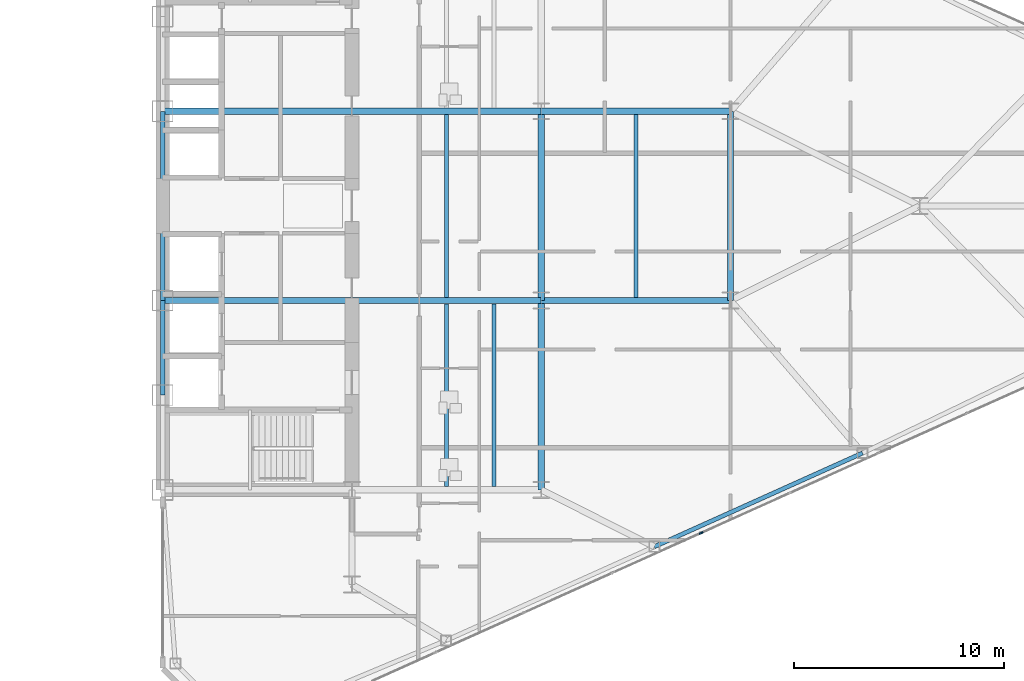
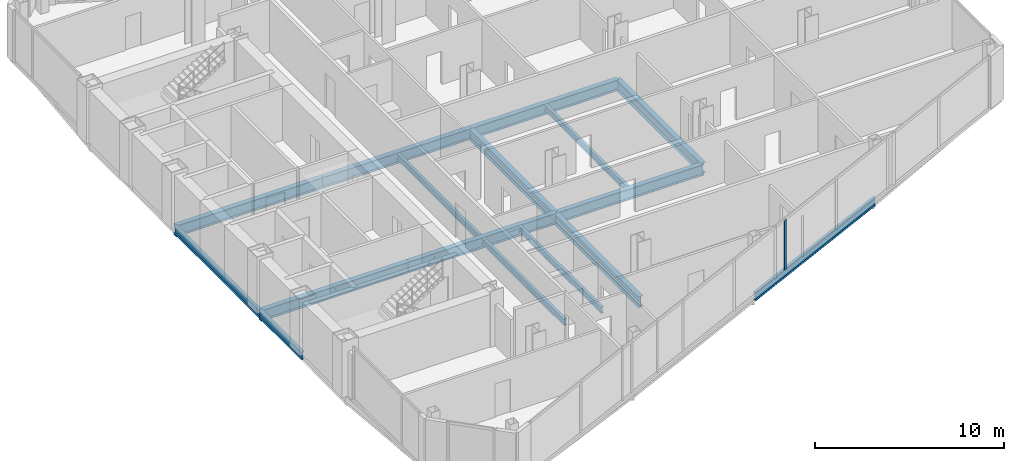
# One storey, part 12 of 27: 16 beams, 1 member, 1 element without a shape of its own.
"""IFC4 building model written with IfcOpenShell, lengths in metres."""

from ifc_helpers import new_model, si_unit, direction, frame, origin, origin_2d, place, context, subcontext, project, spatial, rectangle, i_section, extrude, source, transform, mapped, material, layer, layer_set, material_profile, profile_set, type_object, type_shapes, element, aggregate, save


model = new_model("IFC4")

# Units and contexts
model_context = context("Model", 3, precision=1e-05, world=origin(), true_north=direction((0.0, 1.0)))
body_context = subcontext(model_context, "Body", "Model", "MODEL_VIEW")
ifc_project = project(units=[si_unit("LENGTHUNIT", "METRE"), si_unit("AREAUNIT", "SQUARE_METRE"), si_unit("VOLUMEUNIT", "CUBIC_METRE"), si_unit("PLANEANGLEUNIT", "RADIAN"), si_unit("MASSUNIT", "GRAM", prefix="KILO")], contexts=[model_context])

# Site, building, storey
site_placement = place(None, origin())
site = spatial("IfcSite", under=ifc_project, at=site_placement, CompositionType="ELEMENT")
building_placement = place(site_placement, origin())
building = spatial("IfcBuilding", under=site, at=building_placement, Name="Seokmaru Belvedere", CompositionType="ELEMENT")
storey_placement = place(building_placement, frame((0.0, 0.0, 65.699951171875)))
storey = spatial("IfcBuildingStorey", under=building, at=storey_placement, Name="L17", CompositionType="ELEMENT", Elevation=65.699951171875)

# Beams
ifc_material_1 = material(Name="Steel SM355 (355 MPa)", Category="steel")
ifc_material_profile_1 = material_profile(ifc_material_1, i_section(OverallWidth=0.199951171875, OverallDepth=0.5, WebThickness=0.010009765625, FlangeThickness=0.01611328125, at=origin_2d()), Name="H-500x200x10x16")
ifc_profile_set_1 = profile_set([ifc_material_profile_1], Name="Steel SM355 (355 MPa)")
beam_type_1 = type_object("IfcBeamType", Name="Perimeter Spandrel Beam H-500", PredefinedType="SPANDREL", material=ifc_profile_set_1)
shared_shape_1 = source(origin(), body_context, "Body", "SweptSolid", [
    extrude(i_section(OverallWidth=0.199951171875, OverallDepth=0.5, WebThickness=0.010009765625, FlangeThickness=0.01611328125, at=origin_2d()), origin(), (0.0, 0.0, 1.0), 4.5),
])
beam_1_placement = place(storey_placement, frame((27.5, -9.0, -0.469970703125), z_axis=(0.0, 1.0, 0.0), x_axis=(-1.0, 0.0, 0.0)))
element("IfcBeam", 1, at=beam_1_placement, inside=storey, type_object=beam_type_1, Name="L17 E Portal Spine Spandrel 2", PredefinedType="SPANDREL", context=body_context, shape_type="MappedRepresentation", body=[
    mapped(shared_shape_1, transform((0.0, 0.0, 0.0), scale=1.0)),
])
shared_shape_2 = source(origin(), body_context, "Body", "SweptSolid", [
    extrude(i_section(OverallWidth=0.199951171875, OverallDepth=0.5, WebThickness=0.010009765625, FlangeThickness=0.01611328125, at=origin_2d()), origin(), (0.0, 0.0, 1.0), 9.0),
])
beam_2_placement = place(storey_placement, frame((27.5, -4.5, -0.469970703125), z_axis=(0.0, 1.0, 0.0), x_axis=(-1.0, 0.0, 0.0)))
element("IfcBeam", 2, at=beam_2_placement, inside=storey, type_object=beam_type_1, Name="L17 E Portal Spine Spandrel 3", PredefinedType="SPANDREL", context=body_context, shape_type="MappedRepresentation", body=[
    mapped(shared_shape_2, transform((0.0, 0.0, 0.0), scale=1.0)),
])
ifc_material_profile_2 = material_profile(ifc_material_1, i_section(OverallWidth=0.300048828125, OverallDepth=0.699951171875, WebThickness=0.012939453125, FlangeThickness=0.02392578125, at=origin_2d()), Name="H-700x300x13x24")
ifc_profile_set_2 = profile_set([ifc_material_profile_2], Name="Steel SM355 (355 MPa)")
beam_type_2 = type_object("IfcBeamType", Name="Primary Floor Girder H-700", PredefinedType="BEAM", material=ifc_profile_set_2)
shared_shape_3 = source(origin(), body_context, "Body", "SweptSolid", [
    extrude(i_section(OverallWidth=0.300048828125, OverallDepth=0.699951171875, WebThickness=0.012939453125, FlangeThickness=0.02392578125, at=origin_2d()), origin(), (0.0, 0.0, 1.0), 9.0),
])
type_shapes(beam_type_2, [shared_shape_3])
for number, where, z_axis, x_axis, name in (
    (3, (45.5, -13.5, -0.570068359375), (0.0, 1.0, 0.0), (-1.0, 0.0, 0.0), "L17 E Interior Grid Girder 1"),
    (4, (45.5, -4.5, -0.570068359375), (0.0, 1.0, 0.0), (-1.0, 0.0, 0.0), "L17 E Interior Grid Girder 2"),
    (5, (27.5, -4.5, -0.570068359375), (1.0, 0.0, 0.0), (0.0, 1.0, 0.0), "L17 E Core Tie Girder 2"),
    (6, (36.5, -4.5, -0.570068359375), (1.0, 0.0, 0.0), (0.0, 1.0, 0.0), "L17 E Wing Primary Girder 2"),
    (7, (27.5, 4.5, -0.570068359375), (1.0, 0.0, 0.0), (0.0, 1.0, 0.0), "L17 E Core Tie Girder 3"),
    (8, (36.5, 4.5, -0.570068359375), (1.0, 0.0, 0.0), (0.0, 1.0, 0.0), "L17 E Wing Primary Girder 3"),
    (9, (45.5, -4.5, -0.570068359375), (1.0, 0.0, 0.0), (0.0, 1.0, 0.0), "L17 E Outer Wing Girder 1"),
    (10, (45.5, 4.5, -0.570068359375), (1.0, 0.0, 0.0), (0.0, 1.0, 0.0), "L17 E Outer Wing Girder 2"),
    (11, (54.5, -4.5, -0.570068359375), (0.0, 1.0, 0.0), (-1.0, 0.0, 0.0), "L17 E Apex Frame Girder"),
):
    element("IfcBeam", number, at=place(storey_placement, frame(where, z_axis=z_axis, x_axis=x_axis)), inside=storey, type_object=beam_type_2, Name=name, PredefinedType="BEAM", context=body_context, shape_type="MappedRepresentation", body=[
        mapped(shared_shape_3, transform((0.0, 0.0, 0.0), scale=1.0)),
    ])
ifc_material_profile_3 = material_profile(ifc_material_1, i_section(OverallWidth=0.18505859375, OverallDepth=0.389892578125, WebThickness=0.008056640625, FlangeThickness=0.011962890625, at=origin_2d()), Name="H-390x185x8x12")
ifc_profile_set_3 = profile_set([ifc_material_profile_3], Name="Steel SM355 (355 MPa)")
beam_type_3 = type_object("IfcBeamType", Name="Secondary Floor Joist H-350", PredefinedType="JOIST", material=ifc_profile_set_3)
shared_shape_4 = source(origin(), body_context, "Body", "SweptSolid", [
    extrude(i_section(OverallWidth=0.18505859375, OverallDepth=0.389892578125, WebThickness=0.008056640625, FlangeThickness=0.011962890625, at=origin_2d()), origin(), (0.0, 0.0, 1.0), 8.68994140625),
])
type_shapes(beam_type_3, [shared_shape_4])
for number, where, z_axis, x_axis, name in (
    (12, (43.25, -13.344970703125, -0.4150390625), (0.0, 1.0, 0.0), (-1.0, 0.0, 0.0), "L17 E Wing Inner Secondary Joist 1"),
    (13, (41.0, -13.344970703125, -0.4150390625), (0.0, 1.0, 0.0), (-1.0, 0.0, 0.0), "L17 E Secondary Floor Joist 1"),
    (14, (41.0, -4.344970703125, -0.4150390625), (0.0, 1.0, 0.0), (-1.0, 0.0, 0.0), "L17 E Secondary Floor Joist 2"),
    (15, (50.0, -4.344970703125, -0.4150390625), (0.0, 1.0, 0.0), (-1.0, 0.0, 0.0), "L17 E Outer Bay Secondary Joist"),
):
    element("IfcBeam", number, at=place(storey_placement, frame(where, z_axis=z_axis, x_axis=x_axis)), inside=storey, type_object=beam_type_3, Name=name, PredefinedType="JOIST", context=body_context, shape_type="MappedRepresentation", body=[
        mapped(shared_shape_4, transform((0.0, 0.0, 0.0), scale=1.0)),
    ])
shared_shape_5 = source(origin(), body_context, "Body", "SweptSolid", [
    extrude(i_section(OverallWidth=0.199951171875, OverallDepth=0.5, WebThickness=0.010009765625, FlangeThickness=0.01611328125, at=origin_2d()), origin(), (0.0, 0.0, 1.0), 10.85888671875),
])
type_shapes(beam_type_1, [shared_shape_1, shared_shape_2, shared_shape_5])
beam_3_placement = place(storey_placement, frame((50.875, -16.205322265625, -0.469970703125), z_axis=(0.911925291223, 0.410356263785, 0.0), x_axis=(-0.410356263785, 0.911925291223, 0.0)))
element("IfcBeam", 16, at=beam_3_placement, inside=storey, type_object=beam_type_1, Name="L17 E Faceted Flank Spandrel S-3", PredefinedType="SPANDREL", context=body_context, shape_type="MappedRepresentation", body=[
    mapped(shared_shape_5, transform((0.0, 0.0, 0.0), scale=1.0)),
])

# Curtain wall, member
ifc_material_2 = material(Name="Bronze Triple Insulating Glass", Category="glass")
ifc_layer = layer(ifc_material_2, 0.195068359375)
ifc_layer_set = layer_set([ifc_layer], Name="Bronze Triple Insulating Glass")
curtain_wall_type = type_object("IfcCurtainWallType", Name="Lower-Mid Tapered Curtain Wall System CW-3", PredefinedType="NOTDEFINED", material=ifc_layer_set)
curtain_wall_placement = place(storey_placement, origin())
curtain_wall = element("IfcCurtainWall", 17, at=curtain_wall_placement, inside=storey, type_object=curtain_wall_type, Name="L17 Curtain Wall EF1", PredefinedType="NOTDEFINED")
ifc_material_3 = material(Name="Anodised Bronze Aluminium", Category="aluminium")
ifc_material_profile_4 = material_profile(ifc_material_3, rectangle(XDim=0.070068359375, YDim=0.195068359375, at=origin_2d()), Name="CW-M-70x195")
ifc_profile_set_4 = profile_set([ifc_material_profile_4], Name="Anodised Bronze Aluminium")
member_type = type_object("IfcMemberType", Name="Bronze Unitised Mullion 70x195", PredefinedType="MULLION", material=ifc_profile_set_4)
shared_shape_6 = source(origin(), body_context, "Body", "SweptSolid", [
    extrude(rectangle(XDim=0.070068359375, YDim=0.195068359375, at=origin_2d()), origin(), (0.0, 0.0, 1.0), 3.239990234375),
])
type_shapes(member_type, [shared_shape_6])
member_placement = place(storey_placement, frame((53.105712890625, -15.552490234375, 0.070068359375), z_axis=(0.0, 0.0, 1.0), x_axis=(-0.41036554765, 0.91192111353, 0.0)))
member = element("IfcMember", 18, at=member_placement, type_object=member_type, Name="CW:L17:EF1 Mullion 6", PredefinedType="MULLION", context=body_context, shape_type="MappedRepresentation", body=[
    mapped(shared_shape_6, transform((0.0, 0.0, 0.0), scale=1.0)),
])
aggregate(curtain_wall, [member])

save(model, "model.ifc")
